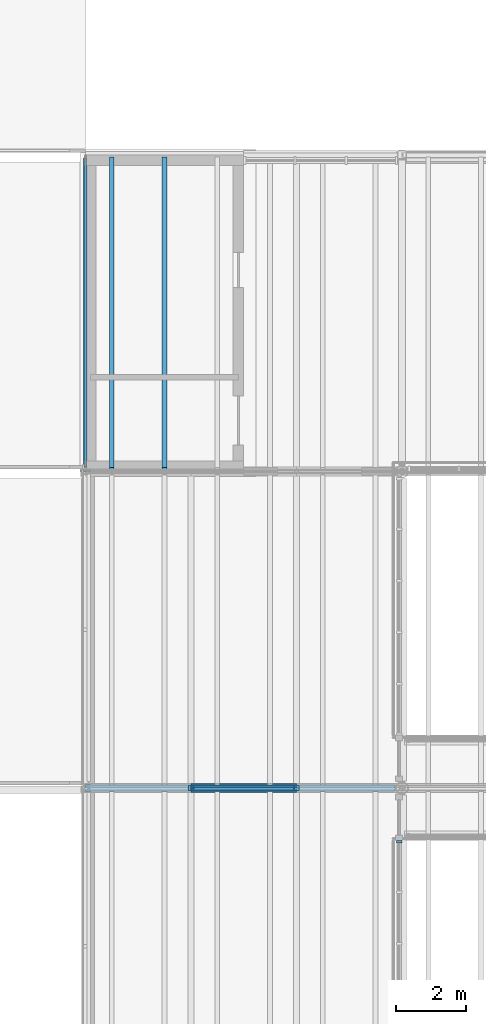
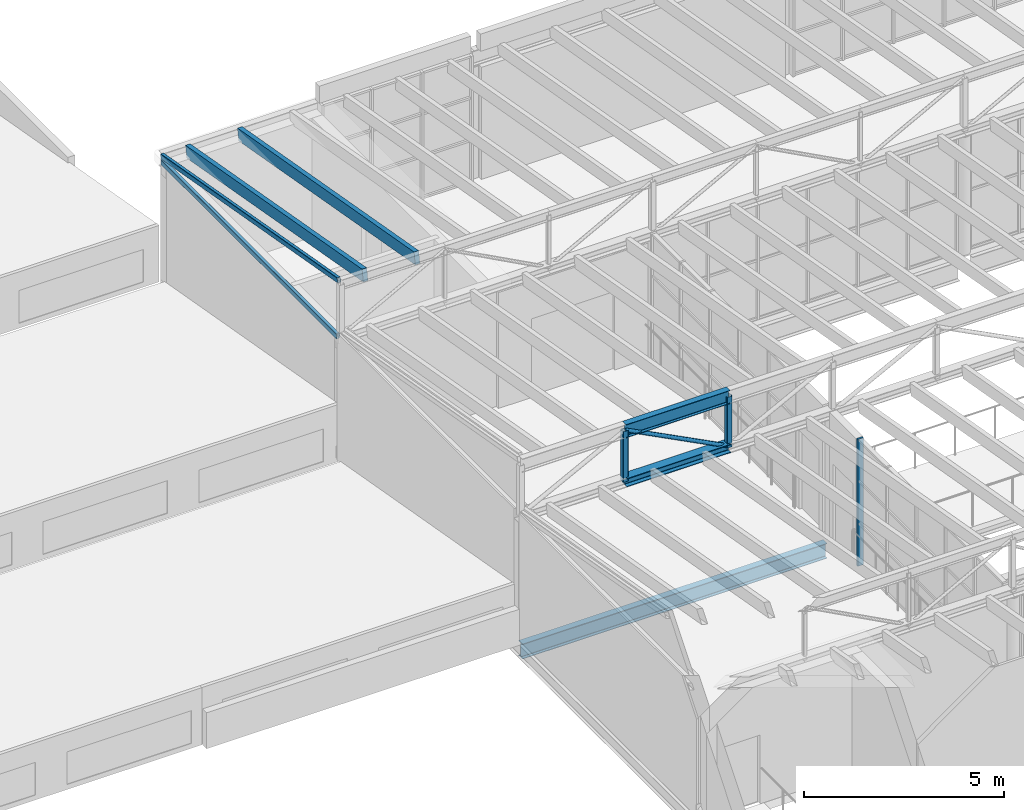
# One storey, part 11 of 44: 10 members, 1 beam, 1 element without a shape of its own.
"""IFC4 building model written with IfcOpenShell, lengths in metres."""

from ifc_helpers import new_model, si_unit, direction, frame, origin, origin_2d, place, context, subcontext, project, spatial, rectangle, hollow_rectangle, hollow_circle, i_section, extrude, material, layer, layer_set, material_profile, profile_set, type_object, element, aggregate, save


model = new_model("IFC4")

# Units and contexts
model_context = context("Model", 3, precision=1e-05, world=origin(), true_north=direction((0.0, 1.0)))
body_context = subcontext(model_context, "Body", "Model", "MODEL_VIEW")
ifc_project = project(units=[si_unit("LENGTHUNIT", "METRE"), si_unit("AREAUNIT", "SQUARE_METRE"), si_unit("VOLUMEUNIT", "CUBIC_METRE"), si_unit("PLANEANGLEUNIT", "RADIAN"), si_unit("MASSUNIT", "GRAM", prefix="KILO")], contexts=[model_context])

# Site, building, storey
site_placement = place(None, origin())
site = spatial("IfcSite", under=ifc_project, at=site_placement, CompositionType="ELEMENT")
building_placement = place(site_placement, origin())
building = spatial("IfcBuilding", under=site, at=building_placement, Name="Halyard Row Museum", CompositionType="ELEMENT")
storey_placement = place(building_placement, frame((0.0, 0.0, 21.199951171875)))
storey = spatial("IfcBuildingStorey", under=building, at=storey_placement, Name="L04", CompositionType="ELEMENT", Elevation=21.199951171875)

# Curtain wall, member
ifc_material_1 = material(Name="Fire-resisting laminated glazing", Category="glass")
ifc_layer = layer(ifc_material_1, 0.159912109375)
ifc_layer_set = layer_set([ifc_layer], Name="Fire-resisting laminated glazing")
curtain_wall_type = type_object("IfcCurtainWallType", Name="Curtain wall atrium screen 160 deep", PredefinedType="NOTDEFINED", material=ifc_layer_set)
curtain_wall_placement = place(storey_placement, origin())
curtain_wall = element("IfcCurtainWall", 1, at=curtain_wall_placement, inside=storey, type_object=curtain_wall_type, Name="Curtain wall CW109", PredefinedType="NOTDEFINED")
ifc_material_2 = material(Name="Powder-coated aluminium section", Category="aluminium")
ifc_material_profile_1 = material_profile(ifc_material_2, rectangle(XDim=0.159912109375, YDim=0.06005859375, at=origin_2d()), Name="160x60 mullion")
ifc_profile_set_1 = profile_set([ifc_material_profile_1], Name="Powder-coated aluminium section")
member_type_1 = type_object("IfcMemberType", Name="Curtain wall mullion CM5 60 x 160", PredefinedType="MULLION", material=ifc_profile_set_1)
member_1_placement = place(storey_placement, frame((80.919921875, 16.469970703125, 0.0), z_axis=(0.0, 0.0, 1.0), x_axis=(1.0, 0.0, 0.0)))
member_1 = element("IfcMember", 2, at=member_1_placement, type_object=member_type_1, Name="CW109 mullion 1", PredefinedType="MULLION", context=body_context, shape_type="SweptSolid", body=[
    extrude(rectangle(XDim=0.159912109375, YDim=0.06005859375, at=origin_2d()), origin(), (0.0, 0.0, 1.0), 3.878173828125),
])
aggregate(curtain_wall, [member_1])

# Members
ifc_material_3 = material(Name="Steel Grade C350L0", Category="steel")
ifc_material_profile_2 = material_profile(ifc_material_3, hollow_rectangle(XDim=0.10009765625, YDim=0.14990234375, WallThickness=0.006103515625, InnerFilletRadius=0.009033203125, OuterFilletRadius=0.014892578125, at=origin_2d()), Name="150x100x6.0RHS")
ifc_profile_set_2 = profile_set([ifc_material_profile_2], Name="Steel Grade C350L0")
member_type_2 = type_object("IfcMemberType", Name="Gable end chord 150x100x6.0RHS", PredefinedType="CHORD", material=ifc_profile_set_2)
member_2_placement = place(storey_placement, frame((72.0, 27.126953125, 3.647705078125), z_axis=(0.0, 1.0, 0.0), x_axis=(-1.0, 0.0, 0.0)))
element("IfcMember", 3, at=member_2_placement, inside=storey, type_object=member_type_2, Name="V2-GW4 eave chord", PredefinedType="CHORD", context=body_context, shape_type="SweptSolid", body=[
    extrude(hollow_rectangle(XDim=0.10009765625, YDim=0.14990234375, WallThickness=0.006103515625, InnerFilletRadius=0.009033203125, OuterFilletRadius=0.014892578125, at=origin_2d()), origin(), (0.0, 0.0, 1.0), 8.777587890625),
])
ifc_material_4 = material(Name="Steel Grade C350L0", Category="steel")
ifc_material_profile_3 = material_profile(ifc_material_4, hollow_rectangle(XDim=0.10009765625, YDim=0.14990234375, WallThickness=0.006103515625, InnerFilletRadius=0.009033203125, OuterFilletRadius=0.014892578125, at=origin_2d()), Name="150x100x6.0RHS")
ifc_profile_set_3 = profile_set([ifc_material_profile_3], Name="Steel Grade C350L0")
member_type_3 = type_object("IfcMemberType", Name="Gable end rafter 150x100x6.0RHS", PredefinedType="RAFTER", material=ifc_profile_set_3)
member_3_placement = place(storey_placement, frame((72.0, 27.074951171875, 5.390625), z_axis=(0.0, 0.98456021411, -0.175046236154), x_axis=(-1.0, 0.0, 0.0)))
element("IfcMember", 4, at=member_3_placement, inside=storey, type_object=member_type_3, Name="V2-GW4 raking rafter", PredefinedType="RAFTER", context=body_context, shape_type="SweptSolid", body=[
    extrude(hollow_rectangle(XDim=0.10009765625, YDim=0.14990234375, WallThickness=0.006103515625, InnerFilletRadius=0.009033203125, OuterFilletRadius=0.014892578125, at=origin_2d()), origin(), (0.0, 0.0, 1.0), 8.968017578125),
])

# Beam
ifc_material_5 = material(Name="Steel Grade 300", Category="steel")
ifc_material_profile_4 = material_profile(ifc_material_5, i_section(OverallWidth=0.19091796875, OverallDepth=0.46044921875, WebThickness=0.010009765625, FlangeThickness=0.01611328125, FilletRadius=0.011474609375, at=origin_2d()), Name="460UB82.1")
ifc_profile_set_4 = profile_set([ifc_material_profile_4], Name="Steel Grade 300")
beam_type = type_object("IfcBeamType", Name="Girder beam 460UB82.1", PredefinedType="BEAM", material=ifc_profile_set_4)
beam_placement = place(storey_placement, frame((72.0, 18.0, -0.395263671875), z_axis=(1.0, 0.0, 0.0), x_axis=(0.0, 1.0, 0.0)))
element("IfcBeam", 5, at=beam_placement, inside=storey, type_object=beam_type, Name="Beam L04-009", PredefinedType="BEAM", context=body_context, shape_type="SweptSolid", body=[
    extrude(i_section(OverallWidth=0.19091796875, OverallDepth=0.46044921875, WebThickness=0.010009765625, FlangeThickness=0.01611328125, FilletRadius=0.011474609375, at=origin_2d()), origin(), (0.0, 0.0, 1.0), 8.796875),
])

# Members
ifc_material_6 = material(Name="Glulam GL12 radiata pine", Category="wood")
ifc_material_profile_5 = material_profile(ifc_material_6, rectangle(XDim=0.135009765625, YDim=0.360107421875, at=origin_2d()), Name="GL12 135x360")
ifc_profile_set_5 = profile_set([ifc_material_profile_5], Name="Glulam GL12 radiata pine")
member_type_4 = type_object("IfcMemberType", Name="Rafter GL12 135x360", PredefinedType="RAFTER", material=ifc_profile_set_5)
for number, where, z_axis, x_axis, name in (
    (6, (72.75, 27.074462890625, 5.283935546875), (0.0, 0.984561882288, -0.175036853105), (-1.0, 0.0, 0.0), "Rafter V2-T4a.1"),
    (7, (74.25, 27.074462890625, 5.283935546875), (0.0, 0.984561882288, -0.175036853105), (-1.0, 0.0, 0.0), "Rafter V2-T4a.2"),
):
    element("IfcMember", number, at=place(storey_placement, frame(where, z_axis=z_axis, x_axis=x_axis)), inside=storey, type_object=member_type_4, Name=name, PredefinedType="RAFTER", context=body_context, shape_type="SweptSolid", body=[
        extrude(rectangle(XDim=0.135009765625, YDim=0.360107421875, at=origin_2d()), origin(), (0.0, 0.0, 1.0), 8.968505859375),
    ])
ifc_material_7 = material(Name="Steel Grade 300", Category="steel")
ifc_material_profile_6 = material_profile(ifc_material_7, i_section(OverallWidth=0.256103515625, OverallDepth=0.260009765625, WebThickness=0.010498046875, FlangeThickness=0.017333984375, FilletRadius=0.013916015625, at=origin_2d()), Name="250UC89.5")
ifc_profile_set_6 = profile_set([ifc_material_profile_6], Name="Steel Grade 300")
member_type_5 = type_object("IfcMemberType", Name="Valley truss bottom chord 250UC89.5", PredefinedType="CHORD", material=ifc_profile_set_6)
member_4_placement = place(storey_placement, frame((75.0, 18.0, 3.72998046875), z_axis=(1.0, 0.0, 0.0), x_axis=(0.0, 1.0, 0.0)))
element("IfcMember", 8, at=member_4_placement, inside=storey, type_object=member_type_5, Name="V2-VT3 bottom chord 1.2", PredefinedType="CHORD", context=body_context, shape_type="SweptSolid", body=[
    extrude(i_section(OverallWidth=0.256103515625, OverallDepth=0.260009765625, WebThickness=0.010498046875, FlangeThickness=0.017333984375, FilletRadius=0.013916015625, at=origin_2d()), origin(), (0.0, 0.0, 1.0), 3.0),
])
ifc_material_8 = material(Name="Steel Grade C250L0", Category="steel")
ifc_material_profile_7 = material_profile(ifc_material_8, hollow_circle(Radius=0.05712890625, WallThickness=0.00537109375, at=origin_2d()), Name="114.3x5.4CHS")
ifc_profile_set_7 = profile_set([ifc_material_profile_7], Name="Steel Grade C250L0")
member_type_6 = type_object("IfcMemberType", Name="Valley truss diagonal 114.3x5.4CHS", PredefinedType="BRACE", material=ifc_profile_set_7)
member_5_placement = place(storey_placement, frame((75.0, 18.0, 5.27685546875), z_axis=(0.888803167408, 0.0, -0.458289133195), x_axis=(0.0, 1.0, 0.0)))
element("IfcMember", 9, at=member_5_placement, inside=storey, type_object=member_type_6, Name="V2-VT3 diagonal 1.2", PredefinedType="BRACE", context=body_context, shape_type="SweptSolid", body=[
    extrude(hollow_circle(Radius=0.05712890625, WallThickness=0.00537109375, at=origin_2d()), origin(), (0.0, 0.0, 1.0), 3.375244140625),
])
ifc_material_9 = material(Name="Steel Grade C350L0", Category="steel")
ifc_material_profile_8 = material_profile(ifc_material_9, hollow_rectangle(XDim=0.14990234375, YDim=0.14990234375, WallThickness=0.006103515625, InnerFilletRadius=0.009033203125, OuterFilletRadius=0.014892578125, at=origin_2d()), Name="150x150x6.0SHS")
ifc_profile_set_8 = profile_set([ifc_material_profile_8], Name="Steel Grade C350L0")
member_type_7 = type_object("IfcMemberType", Name="Valley truss post 150x150x6.0SHS", PredefinedType="POST", material=ifc_profile_set_8)
for number, where, z_axis, x_axis, name in (
    (10, (75.0, 18.0, 3.72998046875), (0.0, 0.0, 1.0), (1.0, 0.0, 0.0), "V2-VT3 post 1.1"),
    (11, (78.0, 18.0, 3.72998046875), (0.0, 0.0, 1.0), (1.0, 0.0, 0.0), "V2-VT3 post 1.2"),
):
    element("IfcMember", number, at=place(storey_placement, frame(where, z_axis=z_axis, x_axis=x_axis)), inside=storey, type_object=member_type_7, Name=name, PredefinedType="POST", context=body_context, shape_type="SweptSolid", body=[
        extrude(hollow_rectangle(XDim=0.14990234375, YDim=0.14990234375, WallThickness=0.006103515625, InnerFilletRadius=0.009033203125, OuterFilletRadius=0.014892578125, at=origin_2d()), origin(), (0.0, 0.0, 1.0), 1.546875),
    ])
ifc_material_10 = material(Name="Steel Grade 300", Category="steel")
ifc_material_profile_9 = material_profile(ifc_material_10, i_section(OverallWidth=0.177978515625, OverallDepth=0.406494140625, WebThickness=0.0078125, FlangeThickness=0.0126953125, FilletRadius=0.011474609375, at=origin_2d()), Name="410UB59.7")
ifc_profile_set_9 = profile_set([ifc_material_profile_9], Name="Steel Grade 300")
member_type_8 = type_object("IfcMemberType", Name="Valley truss top chord 410UB59.7", PredefinedType="CHORD", material=ifc_profile_set_9)
member_6_placement = place(storey_placement, frame((75.0, 18.0, 5.27685546875), z_axis=(1.0, 0.0, 0.0), x_axis=(0.0, 1.0, 0.0)))
element("IfcMember", 12, at=member_6_placement, inside=storey, type_object=member_type_8, Name="V2-VT3 top chord 1.2", PredefinedType="CHORD", context=body_context, shape_type="SweptSolid", body=[
    extrude(i_section(OverallWidth=0.177978515625, OverallDepth=0.406494140625, WebThickness=0.0078125, FlangeThickness=0.0126953125, FilletRadius=0.011474609375, at=origin_2d()), origin(), (0.0, 0.0, 1.0), 3.0),
])

save(model, "model.ifc")
